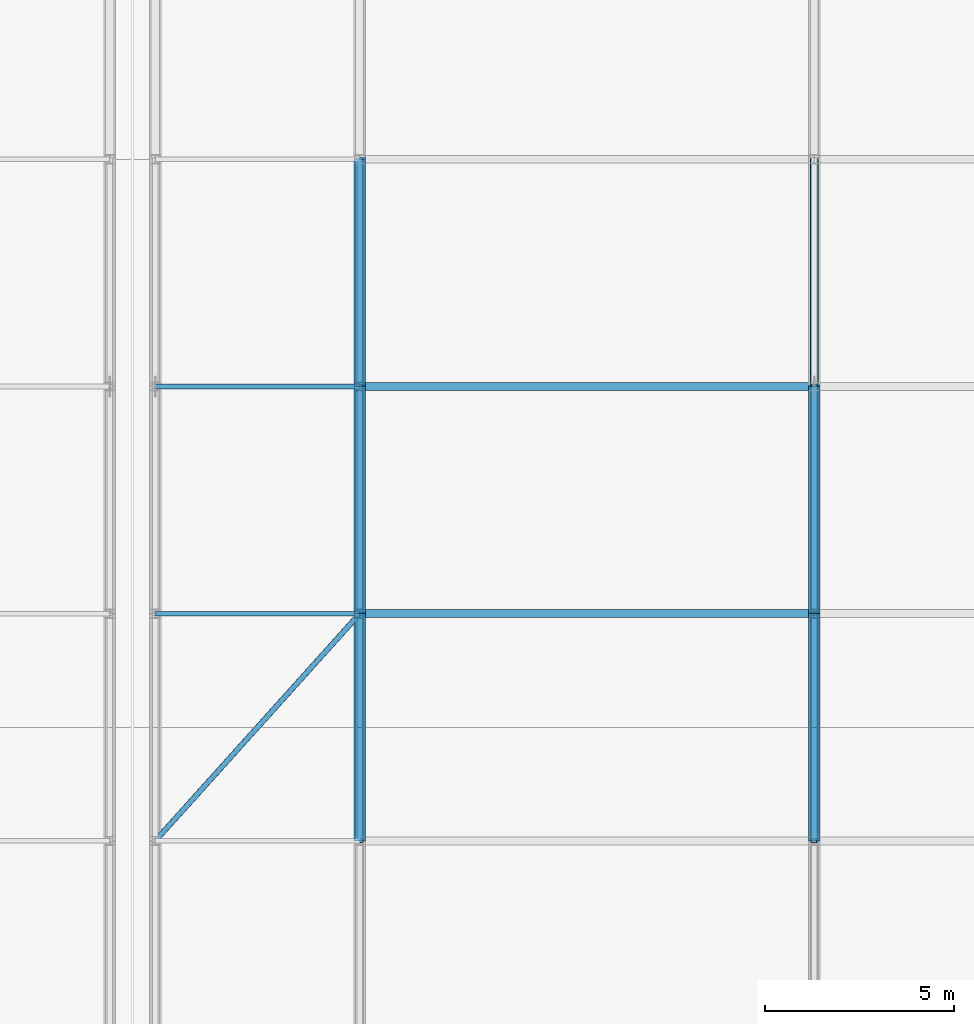
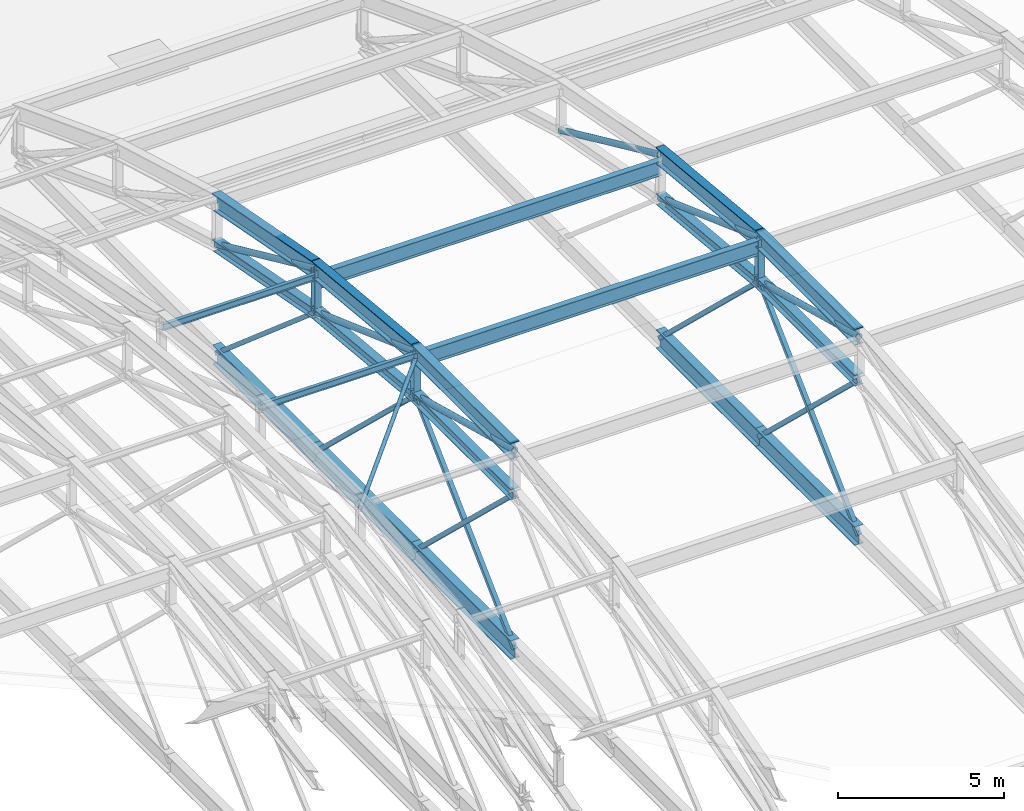
# One storey, part 123 of 204: 36 members.
"""IFC4 building model written with IfcOpenShell, lengths in metres."""

import ifcopenshell
import ifcopenshell.guid

model = None  # the IFC model being written
_history = None  # IfcOwnerHistory: only IFC2X3 demands one
_inside = {}  # id of a spatial element -> (the spatial element, [elements in it])
_under = {}  # id of a project, library or spatial element -> (it, [spatial elements below it])
_declared = {}  # id of a project -> (the project, [libraries it declares])
_typed = {}  # id of a type object -> (the type object, [elements of that type])
_made_of = {}  # id of a material, layer set ... -> (it, [elements and type objects made of it])


def new_model(schema):
    """Start an empty IFC model of exactly this schema.

    Asked for "IFC4X3", IfcOpenShell would pick the latest addendum, in which some entities
    have other attributes; the version numbers below select the first issue.
    IFC2X3 requires an IfcOwnerHistory on every rooted entity: one is made here for all.
    """
    global model, _history
    if schema == "IFC4X3":
        model = ifcopenshell.file(schema_version=(4, 3, 0, 0))
    else:
        model = ifcopenshell.file(schema=schema)
    _inside.clear()
    _under.clear()
    _declared.clear()
    _typed.clear()
    _made_of.clear()
    _history = None
    if model.schema == "IFC2X3":
        org = make("IfcOrganization", Name="unknown")
        user = make(
            "IfcPersonAndOrganization",
            ThePerson=make("IfcPerson", FamilyName="unknown"),
            TheOrganization=org,
        )
        app = make(
            "IfcApplication",
            ApplicationDeveloper=org,
            Version="unknown",
            ApplicationFullName="unknown",
            ApplicationIdentifier="unknown",
        )
        _history = make(
            "IfcOwnerHistory",
            OwningUser=user,
            OwningApplication=app,
            ChangeAction="ADDED",
            CreationDate=0,
        )
    return model


def make(cls, **values):
    """One entity of the class cls with the attributes given. An attribute that is None is left unset."""
    return model.create_entity(
        cls, **{name: value for name, value in values.items() if value is not None}
    )


def rooted(cls, **values):
    """An entity with a GlobalId (a new one), such as an element, a storey or a relation."""
    return make(cls, GlobalId=ifcopenshell.guid.new(), OwnerHistory=_history, **values)


def si_unit(unit_type, name, prefix=None):
    """IfcSIUnit, for example si_unit("LENGTHUNIT", "METRE", prefix="MILLI")."""
    return make("IfcSIUnit", UnitType=unit_type, Prefix=prefix, Name=name)


def assignment(units):
    """IfcUnitAssignment: the units of a project."""
    return None if units is None else make("IfcUnitAssignment", Units=units)


def point(xyz):
    """IfcCartesianPoint."""
    return None if xyz is None else make("IfcCartesianPoint", Coordinates=xyz)


def direction(xyz):
    """IfcDirection."""
    return None if xyz is None else make("IfcDirection", DirectionRatios=xyz)


def frame(location, z_axis=None, x_axis=None):
    """IfcAxis2Placement3D, a coordinate frame: its origin and axes. An axis left out is left unset."""
    return make(
        "IfcAxis2Placement3D",
        Location=point(location),
        Axis=direction(z_axis),
        RefDirection=direction(x_axis),
    )


def frame_2d(location, x_axis=None):
    """IfcAxis2Placement2D, a coordinate frame in the plane: its origin and x axis."""
    return make(
        "IfcAxis2Placement2D", Location=point(location), RefDirection=direction(x_axis)
    )


def origin():
    """The frame at (0, 0, 0) with its axes left unset."""
    return frame((0.0, 0.0, 0.0))


def origin_2d():
    """The frame at (0, 0) in the plane with its x axis left unset."""
    return frame_2d((0.0, 0.0))


def place(relative_to, where):
    """IfcLocalPlacement: puts the frame where relative to a parent placement (None: the world)."""
    return make(
        "IfcLocalPlacement", PlacementRelTo=relative_to, RelativePlacement=where
    )


def context(
    kind, dimensions, precision=None, world=None, true_north=None, identifier=None
):
    """IfcGeometricRepresentationContext, for example the 3D "Model" context."""
    return make(
        "IfcGeometricRepresentationContext",
        ContextIdentifier=identifier,
        ContextType=kind,
        CoordinateSpaceDimension=dimensions,
        Precision=precision,
        WorldCoordinateSystem=world,
        TrueNorth=true_north,
    )


def subcontext(parent, identifier, kind, view, scale=None):
    """IfcGeometricRepresentationSubContext, for example "Body" below "Model"."""
    return make(
        "IfcGeometricRepresentationSubContext",
        ContextIdentifier=identifier,
        ContextType=kind,
        ParentContext=parent,
        TargetScale=scale,
        TargetView=view,
    )


def project(units=None, contexts=None):
    """IfcProject with its units and contexts."""
    return rooted(
        "IfcProject",
        Name="project",
        RepresentationContexts=contexts,
        UnitsInContext=assignment(units),
    )


def spatial(cls, under=None, at=None, **own):
    """A site, building, storey or space (cls), placed at a placement, below another one or the project."""
    s = rooted(cls, ObjectPlacement=at, **own)
    if under is not None:
        _under.setdefault(under.id(), (under, []))[1].append(s)
    return s


def profile(cls, at=None, kind="AREA", **sizes):
    """A parametric profile (cls). Its sizes go by their IFC names, for example OverallWidth=200.0."""
    return make(cls, ProfileType=kind, Position=at, **sizes)


def hollow_rectangle(**sizes):
    """IfcRectangleHollowProfileDef."""
    return profile("IfcRectangleHollowProfileDef", **sizes)


def hollow_circle(**sizes):
    """IfcCircleHollowProfileDef."""
    return profile("IfcCircleHollowProfileDef", **sizes)


def i_section(**sizes):
    """IfcIShapeProfileDef."""
    return profile("IfcIShapeProfileDef", **sizes)


def extrude(swept, where, along, depth):
    """IfcExtrudedAreaSolid: the profile swept, set in the frame where, extruded along a direction by depth."""
    return make(
        "IfcExtrudedAreaSolid",
        SweptArea=swept,
        Position=where,
        ExtrudedDirection=direction(along),
        Depth=depth,
    )


def shape(context_of_items, identifier, shape_type, items):
    """IfcShapeRepresentation: the items that make up one representation, for example the "Body"."""
    return make(
        "IfcShapeRepresentation",
        ContextOfItems=context_of_items,
        RepresentationIdentifier=identifier,
        RepresentationType=shape_type,
        Items=items,
    )


def material(Name=None, Category=None):
    """IfcMaterial."""
    return make("IfcMaterial", Name=Name, Category=Category)


def material_profile(
    of_material, cross_section, Name=None, Category=None, Priority=None
):
    """IfcMaterialProfile: a cross section and its material."""
    return make(
        "IfcMaterialProfile",
        Name=Name,
        Material=of_material,
        Profile=cross_section,
        Priority=Priority,
        Category=Category,
    )


def profile_set(profiles, Name=None, composite=None):
    """IfcMaterialProfileSet."""
    return make(
        "IfcMaterialProfileSet",
        Name=Name,
        MaterialProfiles=profiles,
        CompositeProfile=composite,
    )


def made_of(thing, what):
    """Note that an element or type object is made of a material, layer set ...; save() writes the relation."""
    if what is not None:
        _made_of.setdefault(what.id(), (what, []))[1].append(thing)
    return thing


def type_object(cls, material=None, **own):
    """A type object (cls), such as IfcWallType, which elements share."""
    return made_of(rooted(cls, **own), material)


def element(
    cls,
    number,
    at=None,
    inside=None,
    cuts=None,
    type_object=None,
    material=None,
    context=None,
    identifier="Body",
    shape_type=None,
    held_by="IfcProductDefinitionShape",
    body=None,
    shapes=None,
    **own,
):
    """One element of the class cls, such as IfcWall. Its Tag is "e" and its number.

    at: its placement. inside: the storey or other place that contains it. cuts: it is an
    opening in that element (IfcRelVoidsElement). A single representation is given by context,
    identifier, shape_type and body (its items); several are given by shapes. held_by: the class
    of the entity that holds the representations. save() writes the other relations.
    """
    e = rooted(cls, Tag="e%d" % number, ObjectPlacement=at, **own)
    if body is not None:
        shapes = [shape(context, identifier, shape_type, body)]
    if shapes is not None:
        e.Representation = make(held_by, Representations=shapes)
    if inside is not None:
        _inside.setdefault(inside.id(), (inside, []))[1].append(e)
    if cuts is not None:
        rooted(
            "IfcRelVoidsElement", RelatingBuildingElement=cuts, RelatedOpeningElement=e
        )
    if type_object is not None:
        _typed.setdefault(type_object.id(), (type_object, []))[1].append(e)
    return made_of(e, material)


def aggregate(whole, parts):
    """IfcRelAggregates: a whole, such as a stair, and the parts it consists of."""
    return rooted("IfcRelAggregates", RelatingObject=whole, RelatedObjects=parts)


def save(model, path):
    """Write the relations noted so far, then the file.

    IfcRelAggregates (storeys below a building ...), IfcRelContainedInSpatialStructure (elements
    in a storey), IfcRelDefinesByType, IfcRelAssociatesMaterial and IfcRelDeclares: one each for
    every whole, place, type object, material and project.
    """
    for whole, parts in _under.values():
        aggregate(whole, parts)
    for where, things in _inside.values():
        rooted(
            "IfcRelContainedInSpatialStructure",
            RelatedElements=things,
            RelatingStructure=where,
        )
    for kind, things in _typed.values():
        rooted("IfcRelDefinesByType", RelatedObjects=things, RelatingType=kind)
    for what, things in _made_of.values():
        rooted("IfcRelAssociatesMaterial", RelatedObjects=things, RelatingMaterial=what)
    for by, libraries in _declared.values():
        rooted("IfcRelDeclares", RelatingContext=by, RelatedDefinitions=libraries)
    model.write(path)


model = new_model("IFC4")

# Units and contexts
model_context = context("Model", 3, precision=1e-05, world=origin(), true_north=direction((0.0, 1.0)))
body_context = subcontext(model_context, "Body", "Model", "MODEL_VIEW")
ifc_project = project(units=[si_unit("LENGTHUNIT", "METRE"), si_unit("AREAUNIT", "SQUARE_METRE"), si_unit("VOLUMEUNIT", "CUBIC_METRE"), si_unit("PLANEANGLEUNIT", "RADIAN"), si_unit("MASSUNIT", "GRAM", prefix="KILO")], contexts=[model_context])

# Site, building, storey
site_placement = place(None, origin())
site = spatial("IfcSite", under=ifc_project, at=site_placement, CompositionType="ELEMENT")
building_placement = place(site_placement, origin())
building = spatial("IfcBuilding", under=site, at=building_placement, Name="Zilviju Railside Exhibition Hall", CompositionType="ELEMENT")
storey_placement = place(building_placement, frame((0.0, 0.0, 21.0)))
storey = spatial("IfcBuildingStorey", under=building, at=storey_placement, Name="RF", CompositionType="ELEMENT", Elevation=21.0)

# Members
ifc_material = material(Name="Steel S355J2", Category="steel")
ifc_material_profile_1 = material_profile(ifc_material, hollow_circle(Radius=0.06982421875, WallThickness=0.00634765625, at=origin_2d()), Name="CHS 139.7x6.3")
ifc_profile_set_1 = profile_set([ifc_material_profile_1], Name="Steel S355J2")
member_type_1 = type_object("IfcMemberType", Name="TR-BR-CHS139", PredefinedType="BRACE", material=ifc_profile_set_1)
member_1_placement = place(storey_placement, frame((126.60009765625, 108.0, 3.50341796875), z_axis=(0.668958047626, 0.743300161789, 0.0), x_axis=(-0.743300161789, 0.668958047626, 0.0)))
element("IfcMember", 1, at=member_1_placement, inside=storey, type_object=member_type_1, Name="V2 Roof Wind Brace (126.6..132.0)", PredefinedType="BRACE", context=body_context, shape_type="SweptSolid", body=[
    extrude(hollow_circle(Radius=0.06982421875, WallThickness=0.00634765625, at=origin_2d()), origin(), (0.0, 0.0, 1.0), 8.072021484375),
])
ifc_material_profile_2 = material_profile(ifc_material, hollow_circle(Radius=0.109619140625, WallThickness=0.010009765625, at=origin_2d()), Name="CHS 219.1x10.0")
ifc_profile_set_2 = profile_set([ifc_material_profile_2], Name="Steel S355J2")
member_type_2 = type_object("IfcMemberType", Name="TR-BR-CHS219", PredefinedType="BRACE", material=ifc_profile_set_2)
member_2_placement = place(storey_placement, frame((132.0, 108.0, 3.728515625), z_axis=(0.0, 0.966231024199, -0.25767733287), x_axis=(-1.0, 0.0, 0.0)))
element("IfcMember", 2, at=member_2_placement, inside=storey, type_object=member_type_2, Name="V2 Parabolic Arch Web Diagonal X=132.0 P5", PredefinedType="BRACE", context=body_context, shape_type="SweptSolid", body=[
    extrude(hollow_circle(Radius=0.109619140625, WallThickness=0.010009765625, at=origin_2d()), origin(), (0.0, 0.0, 1.0), 6.209716796875),
])
member_3_placement = place(storey_placement, frame((132.0, 114.0, 3.728515625), z_axis=(0.0, 0.940243888255, -0.340501733621), x_axis=(-1.0, 0.0, 0.0)))
element("IfcMember", 3, at=member_3_placement, inside=storey, type_object=member_type_2, Name="V2 Parabolic Arch Web Diagonal X=132.0 P6", PredefinedType="BRACE", context=body_context, shape_type="SweptSolid", body=[
    extrude(hollow_circle(Radius=0.109619140625, WallThickness=0.010009765625, at=origin_2d()), origin(), (0.0, 0.0, 1.0), 6.38134765625),
])
member_4_placement = place(storey_placement, frame((132.0, 120.0, 3.155517578125), z_axis=(0.0, 0.909316915895, -0.416104249518), x_axis=(-1.0, 0.0, 0.0)))
element("IfcMember", 4, at=member_4_placement, inside=storey, type_object=member_type_2, Name="V2 Parabolic Arch Web Diagonal X=132.0 P7", PredefinedType="BRACE", context=body_context, shape_type="SweptSolid", body=[
    extrude(hollow_circle(Radius=0.109619140625, WallThickness=0.010009765625, at=origin_2d()), origin(), (0.0, 0.0, 1.0), 6.598388671875),
])
member_5_placement = place(storey_placement, frame((144.0, 108.0, 3.728515625), z_axis=(0.0, 0.966231024199, -0.25767733287), x_axis=(-1.0, 0.0, 0.0)))
element("IfcMember", 5, at=member_5_placement, inside=storey, type_object=member_type_2, Name="V2 Parabolic Arch Web Diagonal X=144.0 P5", PredefinedType="BRACE", context=body_context, shape_type="SweptSolid", body=[
    extrude(hollow_circle(Radius=0.109619140625, WallThickness=0.010009765625, at=origin_2d()), origin(), (0.0, 0.0, 1.0), 6.209716796875),
])
member_6_placement = place(storey_placement, frame((144.0, 114.0, 3.728515625), z_axis=(0.0, 0.940243888255, -0.340501733621), x_axis=(-1.0, 0.0, 0.0)))
element("IfcMember", 6, at=member_6_placement, inside=storey, type_object=member_type_2, Name="V2 Parabolic Arch Web Diagonal X=144.0 P6", PredefinedType="BRACE", context=body_context, shape_type="SweptSolid", body=[
    extrude(hollow_circle(Radius=0.109619140625, WallThickness=0.010009765625, at=origin_2d()), origin(), (0.0, 0.0, 1.0), 6.38134765625),
])
member_7_placement = place(storey_placement, frame((144.0, 120.0, 3.155517578125), z_axis=(0.0, 0.909316915895, -0.416104249518), x_axis=(-1.0, 0.0, 0.0)))
element("IfcMember", 7, at=member_7_placement, inside=storey, type_object=member_type_2, Name="V2 Parabolic Arch Web Diagonal X=144.0 P7", PredefinedType="BRACE", context=body_context, shape_type="SweptSolid", body=[
    extrude(hollow_circle(Radius=0.109619140625, WallThickness=0.010009765625, at=origin_2d()), origin(), (0.0, 0.0, 1.0), 6.598388671875),
])
ifc_material_profile_3 = material_profile(ifc_material, i_section(OverallWidth=0.300048828125, OverallDepth=0.39990234375, WebThickness=0.013427734375, FlangeThickness=0.02392578125, at=origin_2d()), Name="HEB 400")
ifc_profile_set_3 = profile_set([ifc_material_profile_3], Name="Steel S355J2")
member_type_3 = type_object("IfcMemberType", Name="TR-CH-HEB400", PredefinedType="CHORD", material=ifc_profile_set_3)
member_8_placement = place(storey_placement, frame((132.0, 108.0, 2.12841796875), z_axis=(0.0, 1.0, 0.0), x_axis=(-1.0, 0.0, 0.0)))
element("IfcMember", 8, at=member_8_placement, inside=storey, type_object=member_type_3, Name="V2 Parabolic Arch Bottom Chord X=132.0 P5", PredefinedType="CHORD", context=body_context, shape_type="SweptSolid", body=[
    extrude(i_section(OverallWidth=0.300048828125, OverallDepth=0.39990234375, WebThickness=0.013427734375, FlangeThickness=0.02392578125, at=origin_2d()), origin(), (0.0, 0.0, 1.0), 6.0),
])
member_9_placement = place(storey_placement, frame((132.0, 114.0, 2.12841796875), z_axis=(0.0, 0.995474695123, -0.095027003367), x_axis=(-1.0, 0.0, 0.0)))
element("IfcMember", 9, at=member_9_placement, inside=storey, type_object=member_type_3, Name="V2 Parabolic Arch Bottom Chord X=132.0 P6", PredefinedType="CHORD", context=body_context, shape_type="SweptSolid", body=[
    extrude(i_section(OverallWidth=0.300048828125, OverallDepth=0.39990234375, WebThickness=0.013427734375, FlangeThickness=0.02392578125, at=origin_2d()), origin(), (0.0, 0.0, 1.0), 6.02734375),
])
member_10_placement = place(storey_placement, frame((132.0, 120.0, 1.5556640625), z_axis=(0.0, 0.98225135267, -0.187569400964), x_axis=(-1.0, 0.0, 0.0)))
element("IfcMember", 10, at=member_10_placement, inside=storey, type_object=member_type_3, Name="V2 Parabolic Arch Bottom Chord X=132.0 P7", PredefinedType="CHORD", context=body_context, shape_type="SweptSolid", body=[
    extrude(i_section(OverallWidth=0.300048828125, OverallDepth=0.39990234375, WebThickness=0.013427734375, FlangeThickness=0.02392578125, at=origin_2d()), origin(), (0.0, 0.0, 1.0), 6.1083984375),
])
member_11_placement = place(storey_placement, frame((144.0, 108.0, 2.12841796875), z_axis=(0.0, 1.0, 0.0), x_axis=(-1.0, 0.0, 0.0)))
element("IfcMember", 11, at=member_11_placement, inside=storey, type_object=member_type_3, Name="V2 Parabolic Arch Bottom Chord X=144.0 P5", PredefinedType="CHORD", context=body_context, shape_type="SweptSolid", body=[
    extrude(i_section(OverallWidth=0.300048828125, OverallDepth=0.39990234375, WebThickness=0.013427734375, FlangeThickness=0.02392578125, at=origin_2d()), origin(), (0.0, 0.0, 1.0), 6.0),
])
member_12_placement = place(storey_placement, frame((144.0, 114.0, 2.12841796875), z_axis=(0.0, 0.995474695123, -0.095027003367), x_axis=(-1.0, 0.0, 0.0)))
element("IfcMember", 12, at=member_12_placement, inside=storey, type_object=member_type_3, Name="V2 Parabolic Arch Bottom Chord X=144.0 P6", PredefinedType="CHORD", context=body_context, shape_type="SweptSolid", body=[
    extrude(i_section(OverallWidth=0.300048828125, OverallDepth=0.39990234375, WebThickness=0.013427734375, FlangeThickness=0.02392578125, at=origin_2d()), origin(), (0.0, 0.0, 1.0), 6.02734375),
])
ifc_material_profile_4 = material_profile(ifc_material, i_section(OverallWidth=0.300048828125, OverallDepth=0.60009765625, WebThickness=0.015380859375, FlangeThickness=0.030029296875, at=origin_2d()), Name="HEB 600")
ifc_profile_set_4 = profile_set([ifc_material_profile_4], Name="Steel S355J2")
member_type_4 = type_object("IfcMemberType", Name="TR-CH-HEB600", PredefinedType="CHORD", material=ifc_profile_set_4)
member_13_placement = place(storey_placement, frame((132.0, 108.0, 3.728515625), z_axis=(0.0, 1.0, 0.0), x_axis=(-1.0, 0.0, 0.0)))
element("IfcMember", 13, at=member_13_placement, inside=storey, type_object=member_type_4, Name="V2 Parabolic Arch Top Chord X=132.0 P5", PredefinedType="CHORD", context=body_context, shape_type="SweptSolid", body=[
    extrude(i_section(OverallWidth=0.300048828125, OverallDepth=0.60009765625, WebThickness=0.015380859375, FlangeThickness=0.030029296875, at=origin_2d()), origin(), (0.0, 0.0, 1.0), 6.0),
])
member_14_placement = place(storey_placement, frame((132.0, 114.0, 3.728515625), z_axis=(0.0, 0.995470862587, -0.095067143331), x_axis=(-1.0, 0.0, 0.0)))
element("IfcMember", 14, at=member_14_placement, inside=storey, type_object=member_type_4, Name="V2 Parabolic Arch Top Chord X=132.0 P6", PredefinedType="CHORD", context=body_context, shape_type="SweptSolid", body=[
    extrude(i_section(OverallWidth=0.300048828125, OverallDepth=0.60009765625, WebThickness=0.015380859375, FlangeThickness=0.030029296875, at=origin_2d()), origin(), (0.0, 0.0, 1.0), 6.02734375),
])
member_15_placement = place(storey_placement, frame((132.0, 120.0, 3.155517578125), z_axis=(0.0, 0.98225135267, -0.187569400964), x_axis=(-1.0, 0.0, 0.0)))
element("IfcMember", 15, at=member_15_placement, inside=storey, type_object=member_type_4, Name="V2 Parabolic Arch Top Chord X=132.0 P7", PredefinedType="CHORD", context=body_context, shape_type="SweptSolid", body=[
    extrude(i_section(OverallWidth=0.300048828125, OverallDepth=0.60009765625, WebThickness=0.015380859375, FlangeThickness=0.030029296875, at=origin_2d()), origin(), (0.0, 0.0, 1.0), 6.1083984375),
])
member_16_placement = place(storey_placement, frame((144.0, 108.0, 3.728515625), z_axis=(0.0, 1.0, 0.0), x_axis=(-1.0, 0.0, 0.0)))
element("IfcMember", 16, at=member_16_placement, inside=storey, type_object=member_type_4, Name="V2 Parabolic Arch Top Chord X=144.0 P5", PredefinedType="CHORD", context=body_context, shape_type="SweptSolid", body=[
    extrude(i_section(OverallWidth=0.300048828125, OverallDepth=0.60009765625, WebThickness=0.015380859375, FlangeThickness=0.030029296875, at=origin_2d()), origin(), (0.0, 0.0, 1.0), 6.0),
])
member_17_placement = place(storey_placement, frame((144.0, 114.0, 3.728515625), z_axis=(0.0, 0.995470862587, -0.095067143331), x_axis=(-1.0, 0.0, 0.0)))
element("IfcMember", 17, at=member_17_placement, inside=storey, type_object=member_type_4, Name="V2 Parabolic Arch Top Chord X=144.0 P6", PredefinedType="CHORD", context=body_context, shape_type="SweptSolid", body=[
    extrude(i_section(OverallWidth=0.300048828125, OverallDepth=0.60009765625, WebThickness=0.015380859375, FlangeThickness=0.030029296875, at=origin_2d()), origin(), (0.0, 0.0, 1.0), 6.02734375),
])
ifc_material_profile_5 = material_profile(ifc_material, i_section(OverallWidth=0.239990234375, OverallDepth=0.22998046875, WebThickness=0.007568359375, FlangeThickness=0.011962890625, at=origin_2d()), Name="HEA 240")
ifc_profile_set_5 = profile_set([ifc_material_profile_5], Name="Steel S355J2")
member_type_5 = type_object("IfcMemberType", Name="TR-POST-HEA240", PredefinedType="POST", material=ifc_profile_set_5)
member_18_placement = place(storey_placement, frame((132.0, 114.0, 2.12841796875), z_axis=(0.0, 0.0, 1.0), x_axis=(1.0, 0.0, 0.0)))
element("IfcMember", 18, at=member_18_placement, inside=storey, type_object=member_type_5, Name="V2 Parabolic Arch Web Post X=132.0 N5", PredefinedType="POST", context=body_context, shape_type="SweptSolid", body=[
    extrude(i_section(OverallWidth=0.239990234375, OverallDepth=0.22998046875, WebThickness=0.007568359375, FlangeThickness=0.011962890625, at=origin_2d()), origin(), (0.0, 0.0, 1.0), 1.60009765625),
])
member_19_placement = place(storey_placement, frame((132.0, 120.0, 1.5556640625), z_axis=(0.0, 0.0, 1.0), x_axis=(1.0, 0.0, 0.0)))
element("IfcMember", 19, at=member_19_placement, inside=storey, type_object=member_type_5, Name="V2 Parabolic Arch Web Post X=132.0 N6", PredefinedType="POST", context=body_context, shape_type="SweptSolid", body=[
    extrude(i_section(OverallWidth=0.239990234375, OverallDepth=0.22998046875, WebThickness=0.007568359375, FlangeThickness=0.011962890625, at=origin_2d()), origin(), (0.0, 0.0, 1.0), 1.599853515625),
])
member_20_placement = place(storey_placement, frame((144.0, 114.0, 2.12841796875), z_axis=(0.0, 0.0, 1.0), x_axis=(1.0, 0.0, 0.0)))
element("IfcMember", 20, at=member_20_placement, inside=storey, type_object=member_type_5, Name="V2 Parabolic Arch Web Post X=144.0 N5", PredefinedType="POST", context=body_context, shape_type="SweptSolid", body=[
    extrude(i_section(OverallWidth=0.239990234375, OverallDepth=0.22998046875, WebThickness=0.007568359375, FlangeThickness=0.011962890625, at=origin_2d()), origin(), (0.0, 0.0, 1.0), 1.60009765625),
])
ifc_material_profile_6 = material_profile(ifc_material, hollow_rectangle(XDim=0.14990234375, YDim=0.14990234375, WallThickness=0.008056640625, at=origin_2d()), Name="SHS 150x150x8.0")
ifc_profile_set_6 = profile_set([ifc_material_profile_6], Name="Steel S355J2")
member_type_6 = type_object("IfcMemberType", Name="TR-POST-SHS150", PredefinedType="POST", material=ifc_profile_set_6)
for number, where, z_axis, x_axis, name in (
    (21, (132.0, 108.0, -3.60009765625), (0.0, 0.723280707221, 0.690554138763), (-1.0, 0.0, 0.0), "V2 Arch Tie Hanger X=132.0 N4"),
    (22, (132.0, 114.0, -3.60009765625), (0.0, -0.723280707221, 0.690554138763), (1.0, 0.0, 0.0), "V2 Arch Tie Hanger X=132.0 N5"),
    (23, (132.0, 120.0, -3.60009765625), (0.0, -0.723280707221, 0.690554138763), (1.0, 0.0, 0.0), "V2 Arch Tie Hanger X=132.0 N6"),
):
    element("IfcMember", number, at=place(storey_placement, frame(where, z_axis=z_axis, x_axis=x_axis)), inside=storey, type_object=member_type_6, Name=name, PredefinedType="POST", context=body_context, shape_type="SweptSolid", body=[
        extrude(hollow_rectangle(XDim=0.14990234375, YDim=0.14990234375, WallThickness=0.008056640625, at=origin_2d()), origin(), (0.0, 0.0, 1.0), 8.295654296875),
    ])
member_21_placement = place(storey_placement, frame((132.0, 126.0, -3.60009765625), z_axis=(0.0, -0.758449992634, 0.651731239602), x_axis=(1.0, 0.0, 0.0)))
element("IfcMember", 24, at=member_21_placement, inside=storey, type_object=member_type_6, Name="V2 Arch Tie Hanger X=132.0 N7", PredefinedType="POST", context=body_context, shape_type="SweptSolid", body=[
    extrude(hollow_rectangle(XDim=0.14990234375, YDim=0.14990234375, WallThickness=0.008056640625, at=origin_2d()), origin(), (0.0, 0.0, 1.0), 7.910888671875),
])
for number, where, z_axis, x_axis, name in (
    (25, (144.0, 108.0, -3.60009765625), (0.0, 0.723280707221, 0.690554138763), (-1.0, 0.0, 0.0), "V2 Arch Tie Hanger X=144.0 N4"),
    (26, (144.0, 114.0, -3.60009765625), (0.0, -0.723280707221, 0.690554138763), (1.0, 0.0, 0.0), "V2 Arch Tie Hanger X=144.0 N5"),
    (27, (144.0, 120.0, -3.60009765625), (0.0, -0.723280707221, 0.690554138763), (1.0, 0.0, 0.0), "V2 Arch Tie Hanger X=144.0 N6"),
):
    element("IfcMember", number, at=place(storey_placement, frame(where, z_axis=z_axis, x_axis=x_axis)), inside=storey, type_object=member_type_6, Name=name, PredefinedType="POST", context=body_context, shape_type="SweptSolid", body=[
        extrude(hollow_rectangle(XDim=0.14990234375, YDim=0.14990234375, WallThickness=0.008056640625, at=origin_2d()), origin(), (0.0, 0.0, 1.0), 8.295654296875),
    ])
ifc_material_profile_7 = material_profile(ifc_material, i_section(OverallWidth=0.1201171875, OverallDepth=0.239990234375, WebThickness=0.006103515625, FlangeThickness=0.009765625, at=origin_2d()), Name="IPE 240")
ifc_profile_set_7 = profile_set([ifc_material_profile_7], Name="Steel S355J2")
member_type_7 = type_object("IfcMemberType", Name="TR-PUR-IPE240", PredefinedType="PURLIN", material=ifc_profile_set_7)
for number, where, z_axis, x_axis, name in (
    (28, (126.60009765625, 114.0, 3.593017578125), (1.0, 0.0, 0.0), (0.0, 1.0, 0.0), "V2 Barrel Vault Roof Purlin Y=114.0 (126.6..132.0)"),
    (29, (126.60009765625, 120.0, 2.877197265625), (1.0, 0.0, 0.0), (0.0, 1.0, 0.0), "V2 Barrel Vault Roof Purlin Y=120.0 (126.6..132.0)"),
):
    element("IfcMember", number, at=place(storey_placement, frame(where, z_axis=z_axis, x_axis=x_axis)), inside=storey, type_object=member_type_7, Name=name, PredefinedType="PURLIN", context=body_context, shape_type="SweptSolid", body=[
        extrude(i_section(OverallWidth=0.1201171875, OverallDepth=0.239990234375, WebThickness=0.006103515625, FlangeThickness=0.009765625, at=origin_2d()), origin(), (0.0, 0.0, 1.0), 5.39990234375),
    ])
ifc_material_profile_8 = material_profile(ifc_material, i_section(OverallWidth=0.2099609375, OverallDepth=0.550048828125, WebThickness=0.010986328125, FlangeThickness=0.01708984375, at=origin_2d()), Name="IPE 550")
ifc_profile_set_8 = profile_set([ifc_material_profile_8], Name="Steel S355J2")
member_type_8 = type_object("IfcMemberType", Name="TR-PUR-IPE550", PredefinedType="PURLIN", material=ifc_profile_set_8)
for number, where, z_axis, x_axis, name in (
    (30, (132.0, 114.0, 3.4326171875), (1.0, 0.0, 0.0), (0.0, 1.0, 0.0), "V2 Barrel Vault Roof Purlin Y=114.0 (132.0..144.0)"),
    (31, (132.0, 120.0, 2.716796875), (1.0, 0.0, 0.0), (0.0, 1.0, 0.0), "V2 Barrel Vault Roof Purlin Y=120.0 (132.0..144.0)"),
):
    element("IfcMember", number, at=place(storey_placement, frame(where, z_axis=z_axis, x_axis=x_axis)), inside=storey, type_object=member_type_8, Name=name, PredefinedType="PURLIN", context=body_context, shape_type="SweptSolid", body=[
        extrude(i_section(OverallWidth=0.2099609375, OverallDepth=0.550048828125, WebThickness=0.010986328125, FlangeThickness=0.01708984375, at=origin_2d()), origin(), (0.0, 0.0, 1.0), 12.0),
    ])
ifc_material_profile_9 = material_profile(ifc_material, i_section(OverallWidth=0.300048828125, OverallDepth=0.699951171875, WebThickness=0.01708984375, FlangeThickness=0.031982421875, at=origin_2d()), Name="HEB 700")
ifc_profile_set_9 = profile_set([ifc_material_profile_9], Name="Steel S355J2")
member_type_9 = type_object("IfcMemberType", Name="TR-TIE-HEB700", PredefinedType="CHORD", material=ifc_profile_set_9)
for number, where, z_axis, x_axis, name in (
    (32, (132.0, 108.0, -3.60009765625), (0.0, 1.0, 0.0), (-1.0, 0.0, 0.0), "V2 Arch Tie Member X=132.0"),
    (33, (132.0, 114.0, -3.60009765625), (0.0, 1.0, 0.0), (-1.0, 0.0, 0.0), "V2 Arch Tie Member X=132.0"),
    (34, (132.0, 120.0, -3.60009765625), (0.0, 1.0, 0.0), (-1.0, 0.0, 0.0), "V2 Arch Tie Member X=132.0"),
    (35, (144.0, 108.0, -3.60009765625), (0.0, 1.0, 0.0), (-1.0, 0.0, 0.0), "V2 Arch Tie Member X=144.0"),
    (36, (144.0, 114.0, -3.60009765625), (0.0, 1.0, 0.0), (-1.0, 0.0, 0.0), "V2 Arch Tie Member X=144.0"),
):
    element("IfcMember", number, at=place(storey_placement, frame(where, z_axis=z_axis, x_axis=x_axis)), inside=storey, type_object=member_type_9, Name=name, PredefinedType="CHORD", context=body_context, shape_type="SweptSolid", body=[
        extrude(i_section(OverallWidth=0.300048828125, OverallDepth=0.699951171875, WebThickness=0.01708984375, FlangeThickness=0.031982421875, at=origin_2d()), origin(), (0.0, 0.0, 1.0), 6.0),
    ])

save(model, "model.ifc")
